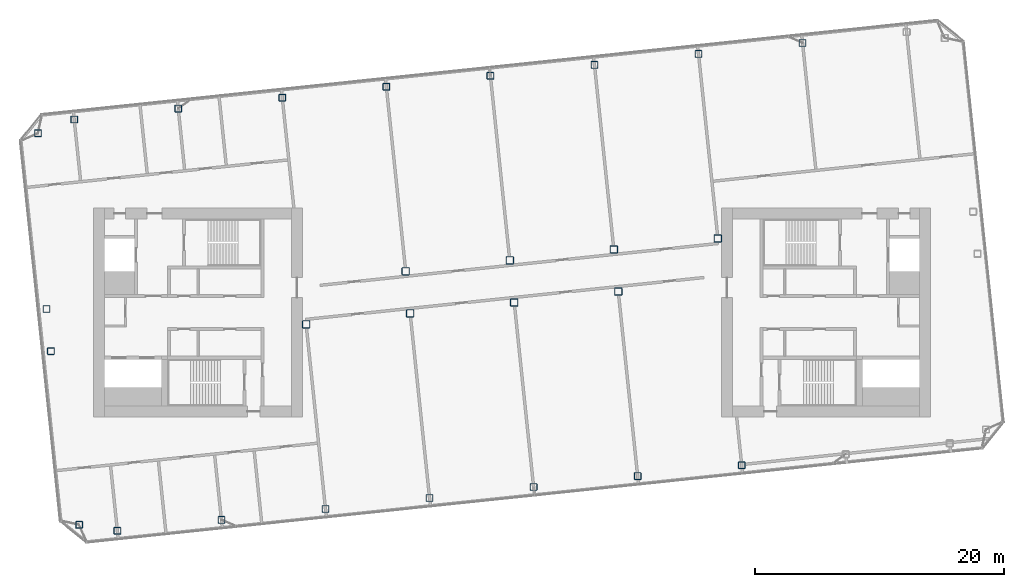
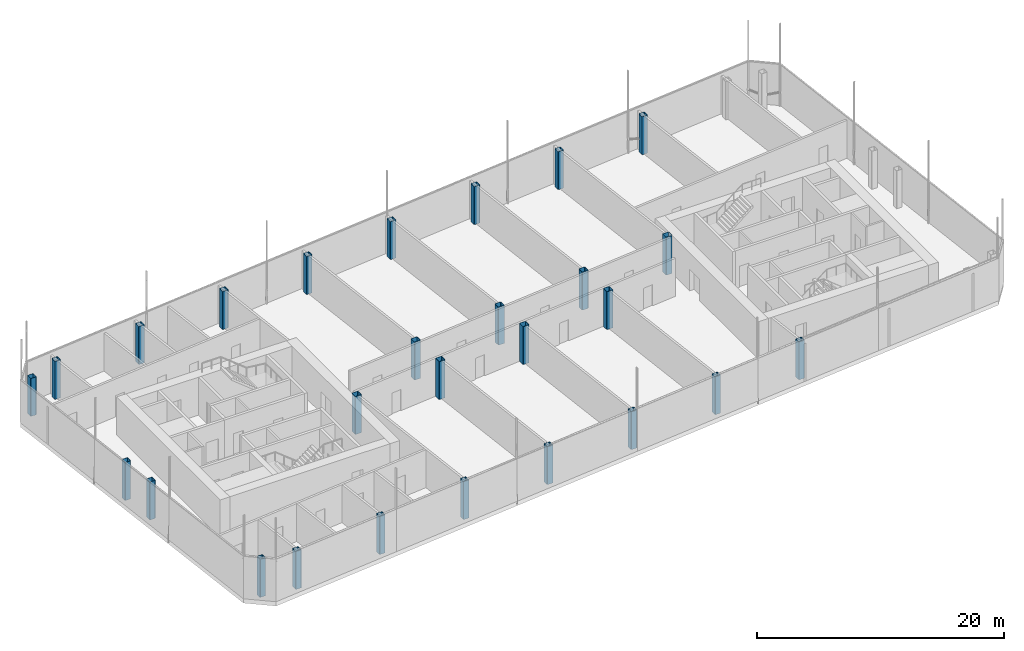
# One storey, part 1 of 41: 27 columns.
"""IFC4 building model written with IfcOpenShell, lengths in metres."""

from ifc_helpers import new_model, si_unit, direction, frame, origin, origin_2d, place, context, subcontext, project, spatial, hollow_rectangle, extrude, material, material_profile, profile_set, type_object, element, save


model = new_model("IFC4")

# Units and contexts
model_context = context("Model", 3, precision=1e-05, world=origin(), true_north=direction((0.0, 1.0)))
body_context = subcontext(model_context, "Body", "Model", "MODEL_VIEW")
ifc_project = project(units=[si_unit("LENGTHUNIT", "METRE"), si_unit("AREAUNIT", "SQUARE_METRE"), si_unit("VOLUMEUNIT", "CUBIC_METRE"), si_unit("PLANEANGLEUNIT", "RADIAN"), si_unit("MASSUNIT", "GRAM", prefix="KILO")], contexts=[model_context])

# Site, building, storey
site_placement = place(None, origin())
site = spatial("IfcSite", under=ifc_project, at=site_placement, CompositionType="ELEMENT")
building_placement = place(site_placement, origin())
building = spatial("IfcBuilding", under=site, at=building_placement, Name="Hakoniwa Tower and Hamabe Station Hall", CompositionType="ELEMENT")
storey_placement = place(building_placement, frame((0.0, 0.0, 276.60009765625)))
storey = spatial("IfcBuildingStorey", under=building, at=storey_placement, Name="L77", CompositionType="ELEMENT", Elevation=276.60009765625)

# Columns
ifc_material_1 = material(Name="Steel BCP325", Category="steel")
ifc_material_profile_1 = material_profile(ifc_material_1, hollow_rectangle(XDim=0.550048828125, YDim=0.550048828125, WallThickness=0.02197265625, InnerFilletRadius=0.032958984375, OuterFilletRadius=0.054931640625, at=origin_2d()), Name="BCP-550x550x22")
ifc_profile_set_1 = profile_set([ifc_material_profile_1], Name="Steel BCP325")
column_type_1 = type_object("IfcColumnType", Name="COLUMN BCP-550x550x22", PredefinedType="COLUMN", material=ifc_profile_set_1)
for number, where, z_axis, x_axis, name in (
    (1, (-34.750732421875, -17.04248046875, 0.0), (0.0, 0.0, 1.0), (1.0, 0.0, 0.0), "Column B5-EW-A5"),
    (2, (-37.017333984375, -3.10009765625, 0.0), (0.0, 0.0, 1.0), (1.0, 0.0, 0.0), "Column B5-EW-C5"),
    (3, (-37.372802734375, 0.28125, 0.0), (0.0, 0.0, 1.0), (1.0, 0.0, 0.0), "Column B5-EW-D5"),
    (4, (-38.054443359375, 14.390380859375, 0.0), (0.0, 0.0, 1.0), (1.0, 0.0, 0.0), "Column B5-EW-F5"),
    (5, (-31.680908203125, -17.521240234375, 0.0), (0.0, 0.0, 1.0), (1.0, 0.0, 0.0), "Column B5-3-A5"),
    (6, (-35.151123046875, 15.496826171875, 0.0), (0.0, 0.0, 1.0), (1.0, 0.0, 0.0), "Column B5-3-F5"),
    (7, (-23.326904296875, -16.643310546875, 0.0), (0.0, 0.0, 1.0), (1.0, 0.0, 0.0), "Column B5-4-A5"),
    (8, (-26.797119140625, 16.375, 0.0), (0.0, 0.0, 1.0), (1.0, 0.0, 0.0), "Column B5-4-F5"),
    (9, (-14.972900390625, -15.76513671875, 0.0), (0.0, 0.0, 1.0), (1.0, 0.0, 0.0), "Column B5-5-A5"),
    (10, (-18.443115234375, 17.2529296875, 0.0), (0.0, 0.0, 1.0), (1.0, 0.0, 0.0), "Column B5-5-F5"),
    (11, (-6.618896484375, -14.88720703125, 0.0), (0.0, 0.0, 1.0), (1.0, 0.0, 0.0), "Column B5-6-A5"),
    (12, (-10.089111328125, 18.131103515625, 0.0), (0.0, 0.0, 1.0), (1.0, 0.0, 0.0), "Column B5-6-F5"),
    (13, (1.735107421875, -14.009033203125, 0.0), (0.0, 0.0, 1.0), (1.0, 0.0, 0.0), "Column B5-7-A5"),
    (14, (-1.735107421875, 19.009033203125, 0.0), (0.0, 0.0, 1.0), (1.0, 0.0, 0.0), "Column B5-7-F5"),
    (15, (10.089111328125, -13.131103515625, 0.0), (0.0, 0.0, 1.0), (1.0, 0.0, 0.0), "Column B5-8-A5"),
    (16, (6.618896484375, 19.88720703125, 0.0), (0.0, 0.0, 1.0), (1.0, 0.0, 0.0), "Column B5-8-F5"),
    (17, (18.443115234375, -12.2529296875, 0.0), (0.0, 0.0, 1.0), (1.0, 0.0, 0.0), "Column B5-9-A5"),
    (18, (14.972900390625, 20.76513671875, 0.0), (0.0, 0.0, 1.0), (1.0, 0.0, 0.0), "Column B5-9-F5"),
    (19, (23.326904296875, 21.643310546875, 0.0), (0.0, 0.0, 1.0), (1.0, 0.0, 0.0), "Column B5-10-F5"),
):
    element("IfcColumn", number, at=place(storey_placement, frame(where, z_axis=z_axis, x_axis=x_axis)), inside=storey, type_object=column_type_1, Name=name, PredefinedType="COLUMN", context=body_context, shape_type="SweptSolid", body=[
        extrude(hollow_rectangle(XDim=0.550048828125, YDim=0.550048828125, WallThickness=0.02197265625, InnerFilletRadius=0.032958984375, OuterFilletRadius=0.054931640625, at=origin_2d()), origin(), (0.0, 0.0, 1.0), 3.75),
    ])
ifc_material_2 = material(Name="Steel BCP325", Category="steel")
ifc_material_profile_2 = material_profile(ifc_material_2, hollow_rectangle(XDim=0.60009765625, YDim=0.60009765625, WallThickness=0.02490234375, InnerFilletRadius=0.03759765625, OuterFilletRadius=0.0625, at=origin_2d()), Name="BCP-600x600x25")
ifc_profile_set_2 = profile_set([ifc_material_profile_2], Name="Steel BCP325")
column_type_2 = type_object("IfcColumnType", Name="COLUMN BCP-600x600x25", PredefinedType="COLUMN", material=ifc_profile_set_2)
for number, where, z_axis, x_axis, name in (
    (20, (-16.5302734375, -0.94677734375, 0.0), (0.0, 0.0, 1.0), (1.0, 0.0, 0.0), "Column B5-5-C5"),
    (21, (-8.17626953125, -0.068603515625, 0.0), (0.0, 0.0, 1.0), (1.0, 0.0, 0.0), "Column B5-6-C5"),
    (22, (-8.53173828125, 3.3125, 0.0), (0.0, 0.0, 1.0), (1.0, 0.0, 0.0), "Column B5-6-D5"),
    (23, (0.177734375, 0.809326171875, 0.0), (0.0, 0.0, 1.0), (1.0, 0.0, 0.0), "Column B5-7-C5"),
    (24, (-0.177734375, 4.190673828125, 0.0), (0.0, 0.0, 1.0), (1.0, 0.0, 0.0), "Column B5-7-D5"),
    (25, (8.53173828125, 1.6875, 0.0), (0.0, 0.0, 1.0), (1.0, 0.0, 0.0), "Column B5-8-C5"),
    (26, (8.17626953125, 5.068603515625, 0.0), (0.0, 0.0, 1.0), (1.0, 0.0, 0.0), "Column B5-8-D5"),
    (27, (16.5302734375, 5.94677734375, 0.0), (0.0, 0.0, 1.0), (1.0, 0.0, 0.0), "Column B5-9-D5"),
):
    element("IfcColumn", number, at=place(storey_placement, frame(where, z_axis=z_axis, x_axis=x_axis)), inside=storey, type_object=column_type_2, Name=name, PredefinedType="COLUMN", context=body_context, shape_type="SweptSolid", body=[
        extrude(hollow_rectangle(XDim=0.60009765625, YDim=0.60009765625, WallThickness=0.02490234375, InnerFilletRadius=0.03759765625, OuterFilletRadius=0.0625, at=origin_2d()), origin(), (0.0, 0.0, 1.0), 3.75),
    ])

save(model, "model.ifc")
